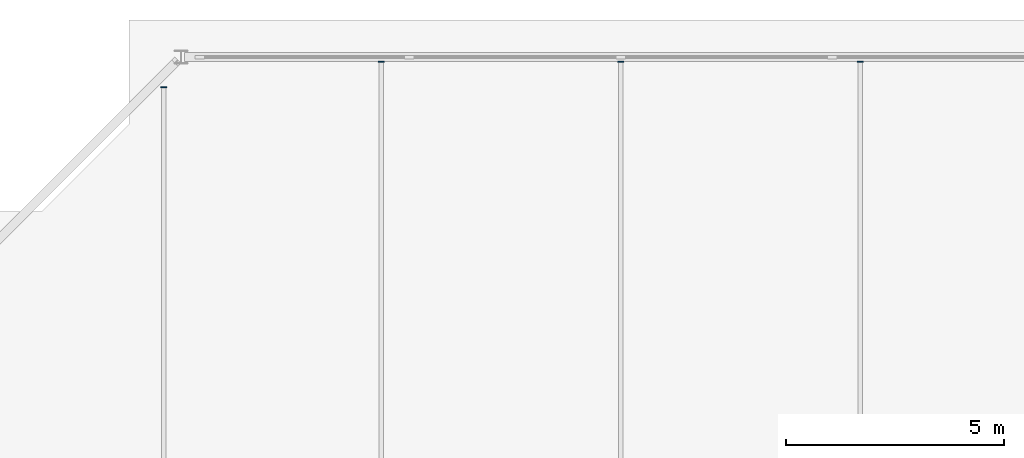
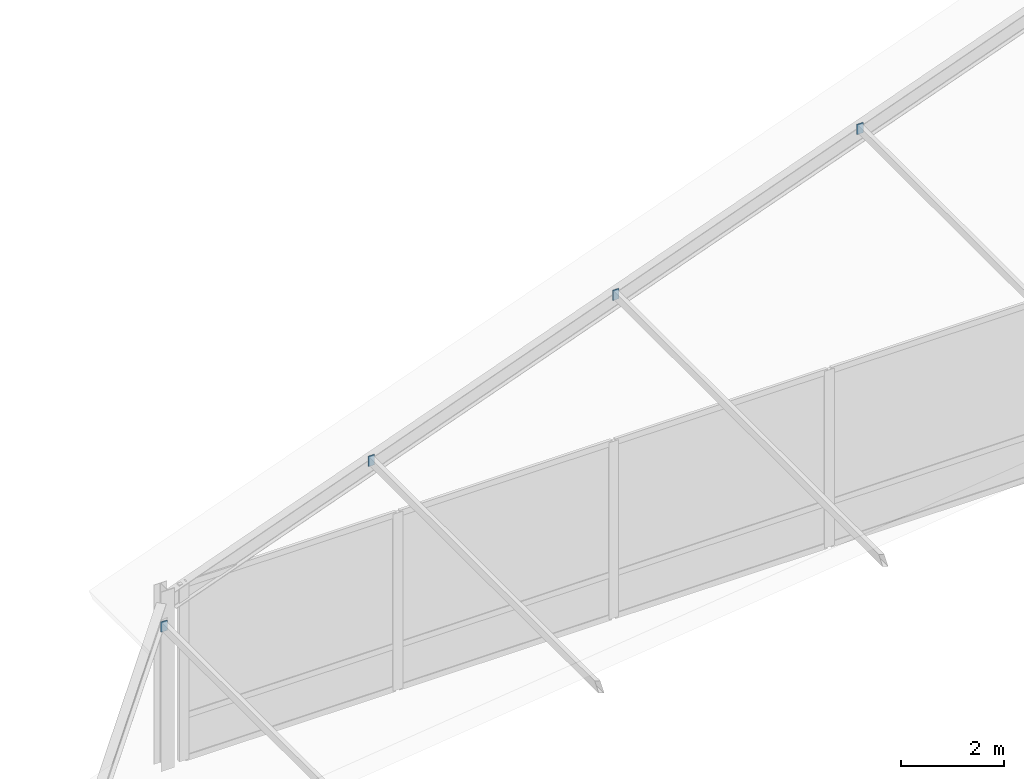
# One storey, part 7 of 8: 4 plates.
"""IFC4 building model written with IfcOpenShell, lengths in metres."""

from ifc_helpers import new_model, si_unit, direction, frame, origin, origin_2d, place, context, subcontext, project, spatial, rectangle, extrude, source, transform, mapped, material, layer, layer_set, type_object, element, save


model = new_model("IFC4")

# Units and contexts
model_context = context("Model", 3, precision=1e-05, world=origin(), true_north=direction((0.0, 1.0)))
body_context = subcontext(model_context, "Body", "Model", "MODEL_VIEW")
ifc_project = project(units=[si_unit("LENGTHUNIT", "METRE"), si_unit("AREAUNIT", "SQUARE_METRE"), si_unit("VOLUMEUNIT", "CUBIC_METRE"), si_unit("PLANEANGLEUNIT", "RADIAN"), si_unit("MASSUNIT", "GRAM", prefix="KILO"), si_unit("THERMODYNAMICTEMPERATUREUNIT", "KELVIN"), si_unit("POWERUNIT", "WATT")], contexts=[model_context])

# Site, building, storey
site_placement = place(None, origin())
site = spatial("IfcSite", under=ifc_project, at=site_placement, CompositionType="ELEMENT")
building_placement = place(site_placement, origin())
building = spatial("IfcBuilding", under=site, at=building_placement, Name="Qiaomeng Ring Towers", CompositionType="ELEMENT")
storey_placement = place(building_placement, frame((0.0, 0.0, 267.75)))
storey = spatial("IfcBuildingStorey", under=building, at=storey_placement, Name="Roof", CompositionType="ELEMENT", Elevation=267.75)

# Plates
ifc_material = material(Name="Steel Q355B", Category="steel")
ifc_layer = layer(ifc_material, 0.02001953125, Name="Steel Q355B")
ifc_layer_set = layer_set([ifc_layer], Name="Steel Q355B")
plate_type = type_object("IfcPlateType", Name="STR-PL-CAP", PredefinedType="USERDEFINED", material=ifc_layer_set)
shared_shape = source(origin(), body_context, "Body", "SweptSolid", [
    extrude(rectangle(XDim=0.139892578125, YDim=0.02001953125, at=origin_2d()), origin(), (0.0, 0.0, 1.0), 0.239990234375),
])
for number, where, z_axis, x_axis, name in (
    (1, (8.5, 37.159912109375, 3.76318359375), (0.0, 0.0, 1.0), (1.0, 0.0, 0.0), "Crown Roof Purlin PR1-1 End Cap Plate N"),
    (2, (13.5, 37.739990234375, 5.60302734375), (0.0, 0.0, 1.0), (1.0, 0.0, 0.0), "Crown Roof Purlin PR1-2 End Cap Plate N"),
    (3, (19.0, 37.739990234375, 7.62646484375), (0.0, 0.0, 1.0), (1.0, 0.0, 0.0), "Crown Roof Purlin PR1-3 End Cap Plate N"),
    (4, (24.5, 37.739990234375, 9.64990234375), (0.0, 0.0, 1.0), (1.0, 0.0, 0.0), "Crown Roof Purlin PR1-4 End Cap Plate N"),
):
    element("IfcPlate", number, at=place(storey_placement, frame(where, z_axis=z_axis, x_axis=x_axis)), inside=storey, type_object=plate_type, Name=name, ObjectType="END CAP PLATE", PredefinedType="USERDEFINED", context=body_context, shape_type="MappedRepresentation", body=[
        mapped(shared_shape, transform((0.0, 0.0, 0.0), x_axis=(1.0, 0.0, 0.0), y_axis=(0.0, 1.0, 0.0), z_axis=(0.0, 0.0, 1.0), scale=1.0)),
    ])

save(model, "model.ifc")
